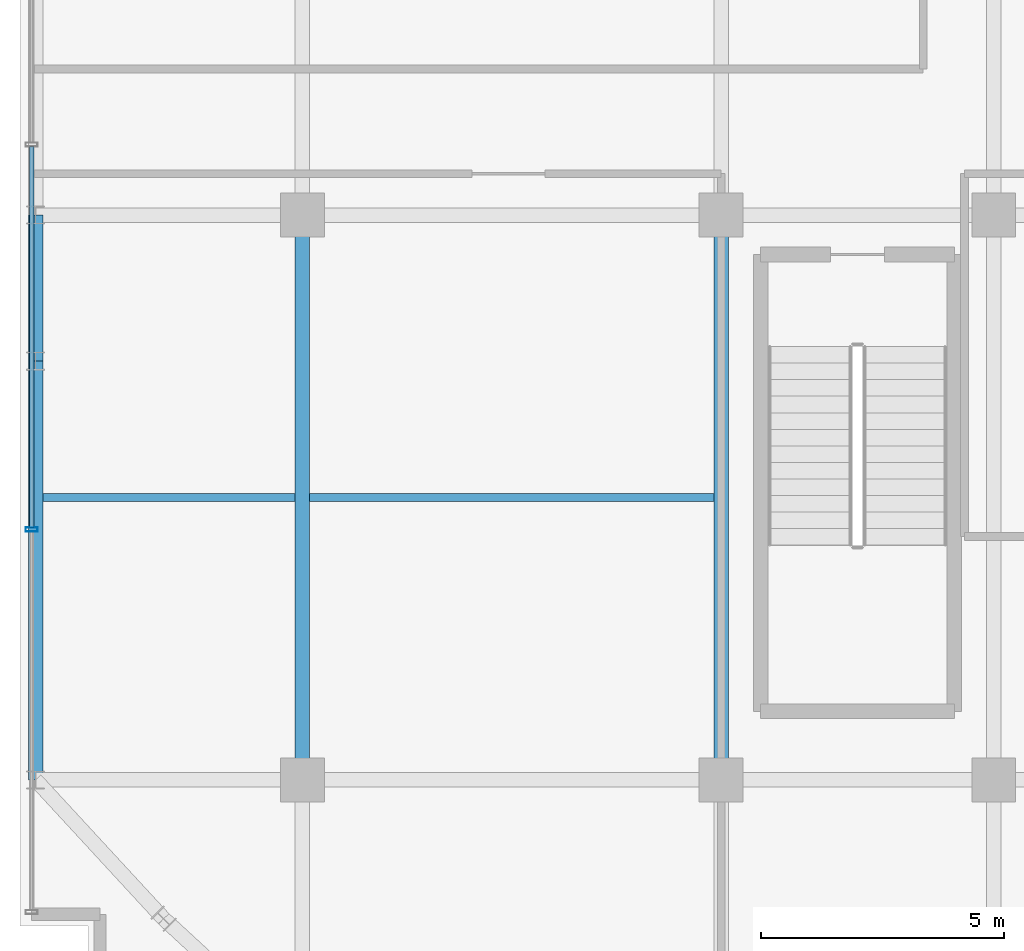
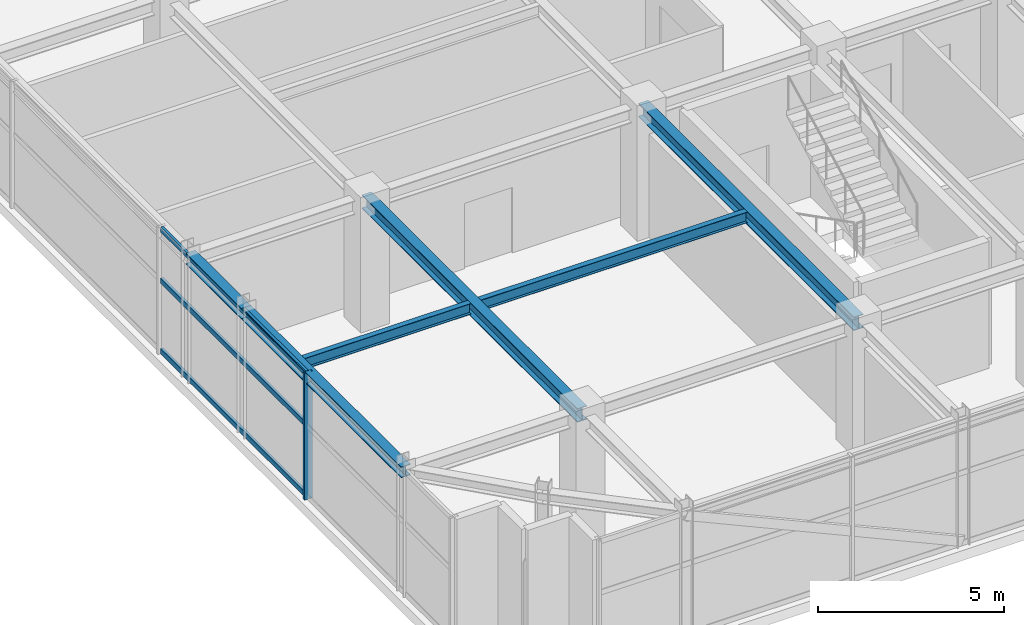
# One storey, part 5 of 26: 6 beams, 4 members, 1 element without a shape of its own.
"""IFC4 building model written with IfcOpenShell, lengths in metres."""

from ifc_helpers import new_model, si_unit, direction, frame, origin, origin_2d, place, context, subcontext, project, spatial, hollow_rectangle, i_section, extrude, source, transform, mapped, material, material_profile, profile_set, type_object, element, aggregate, save


model = new_model("IFC4")

# Units and contexts
model_context = context("Model", 3, precision=1e-05, world=origin(), true_north=direction((0.0, 1.0)))
body_context = subcontext(model_context, "Body", "Model", "MODEL_VIEW")
ifc_project = project(units=[si_unit("LENGTHUNIT", "METRE"), si_unit("AREAUNIT", "SQUARE_METRE"), si_unit("VOLUMEUNIT", "CUBIC_METRE"), si_unit("PLANEANGLEUNIT", "RADIAN"), si_unit("MASSUNIT", "GRAM", prefix="KILO")], contexts=[model_context])

# Site, building, storey
site_placement = place(None, origin())
site = spatial("IfcSite", under=ifc_project, at=site_placement, CompositionType="ELEMENT")
building_placement = place(site_placement, origin())
building = spatial("IfcBuilding", under=site, at=building_placement, Name="Nahalor Promenade Grand Hotel", CompositionType="ELEMENT")
storey_placement = place(building_placement, frame((0.0, 0.0, 343.050048828125)))
storey = spatial("IfcBuildingStorey", under=building, at=storey_placement, Name="L88", CompositionType="ELEMENT", Elevation=343.050048828125)

# Beams
ifc_material_1 = material(Name="Steel S355JR", Category="steel")
ifc_material_profile_1 = material_profile(ifc_material_1, i_section(OverallWidth=0.3, OverallDepth=0.45, WebThickness=0.014, FlangeThickness=0.026, at=origin_2d()), Name="HEB 450")
ifc_profile_set_1 = profile_set([ifc_material_profile_1], Name="Steel S355JR")
beam_type_1 = type_object("IfcBeamType", Name="Beam-Girder-HEB450", PredefinedType="BEAM", material=ifc_profile_set_1)
shared_shape_1 = source(origin(), body_context, "Body", "SweptSolid", [
    extrude(i_section(OverallWidth=0.3, OverallDepth=0.45, WebThickness=0.014, FlangeThickness=0.026, at=origin_2d()), origin(), (0.0, 0.0, 1.0), 11.60009765625),
])
for number, where, z_axis, x_axis, name in (
    (1, (-17.0, -17.0, 3.945068359375), (0.0, 1.0, 0.0), (-1.0, 0.0, 0.0), "BM-L88-GY-0-1"),
    (2, (-8.39990234375, -17.0, 3.945068359375), (0.0, 1.0, 0.0), (-1.0, 0.0, 0.0), "BM-L88-GY-1-1"),
):
    element("IfcBeam", number, at=place(storey_placement, frame(where, z_axis=z_axis, x_axis=x_axis)), inside=storey, type_object=beam_type_1, Name=name, PredefinedType="BEAM", context=body_context, shape_type="MappedRepresentation", body=[
        mapped(shared_shape_1, transform((0.0, 0.0, 0.0), scale=1.0)),
    ])
ifc_material_profile_2 = material_profile(ifc_material_1, i_section(OverallWidth=0.3, OverallDepth=0.36, WebThickness=0.0125, FlangeThickness=0.0225, at=origin_2d()), Name="HEB 360")
ifc_profile_set_2 = profile_set([ifc_material_profile_2], Name="Steel S355JR")
beam_type_2 = type_object("IfcBeamType", Name="Beam-Spandrel-HEB360", PredefinedType="SPANDREL", material=ifc_profile_set_2)
shared_shape_2 = source(origin(), body_context, "Body", "SweptSolid", [
    extrude(i_section(OverallWidth=0.3, OverallDepth=0.36, WebThickness=0.0125, FlangeThickness=0.0225, at=origin_2d()), origin(), (0.0, 0.0, 1.0), 8.60009765625),
])
beam_1_placement = place(storey_placement, frame((-22.47998046875, -17.0, 3.989990234375), z_axis=(0.0, 1.0, 0.0), x_axis=(-1.0, 0.0, 0.0)))
element("IfcBeam", 3, at=beam_1_placement, inside=storey, type_object=beam_type_2, Name="BM-L88-SP-W-0", PredefinedType="SPANDREL", context=body_context, shape_type="MappedRepresentation", body=[
    mapped(shared_shape_2, transform((0.0, 0.0, 0.0), scale=1.0)),
])
shared_shape_3 = source(origin(), body_context, "Body", "SweptSolid", [
    extrude(i_section(OverallWidth=0.3, OverallDepth=0.36, WebThickness=0.0125, FlangeThickness=0.0225, at=origin_2d()), origin(), (0.0, 0.0, 1.0), 3.0),
])
beam_2_placement = place(storey_placement, frame((-22.47998046875, -8.39990234375, 3.989990234375), z_axis=(0.0, 1.0, 0.0), x_axis=(-1.0, 0.0, 0.0)))
element("IfcBeam", 4, at=beam_2_placement, inside=storey, type_object=beam_type_2, Name="BM-L88-SP-W-1", PredefinedType="SPANDREL", context=body_context, shape_type="MappedRepresentation", body=[
    mapped(shared_shape_3, transform((0.0, 0.0, 0.0), scale=1.0)),
])
ifc_material_profile_3 = material_profile(ifc_material_1, i_section(OverallWidth=0.17, OverallDepth=0.36, WebThickness=0.008, FlangeThickness=0.0127, at=origin_2d()), Name="IPE 360")
ifc_profile_set_3 = profile_set([ifc_material_profile_3], Name="Steel S355JR")
beam_type_3 = type_object("IfcBeamType", Name="Beam-Joist-IPE360", PredefinedType="JOIST", material=ifc_profile_set_3)
shared_shape_4 = source(origin(), body_context, "Body", "SweptSolid", [
    extrude(i_section(OverallWidth=0.17, OverallDepth=0.36, WebThickness=0.008, FlangeThickness=0.0127, at=origin_2d()), origin(), (0.0, 0.0, 1.0), 5.18017578125),
])
beam_3_placement = place(storey_placement, frame((-22.330078125, -11.199951171875, 3.989990234375), z_axis=(1.0, 0.0, 0.0), x_axis=(0.0, 1.0, 0.0)))
element("IfcBeam", 5, at=beam_3_placement, inside=storey, type_object=beam_type_3, Name="BM-L88-JSW-0-0", PredefinedType="JOIST", context=body_context, shape_type="MappedRepresentation", body=[
    mapped(shared_shape_4, transform((0.0, 0.0, 0.0), scale=1.0)),
])
shared_shape_5 = source(origin(), body_context, "Body", "SweptSolid", [
    extrude(i_section(OverallWidth=0.17, OverallDepth=0.36, WebThickness=0.008, FlangeThickness=0.0127, at=origin_2d()), origin(), (0.0, 0.0, 1.0), 8.300048828125),
])
beam_4_placement = place(storey_placement, frame((-16.85009765625, -11.199951171875, 3.989990234375), z_axis=(1.0, 0.0, 0.0), x_axis=(0.0, 1.0, 0.0)))
element("IfcBeam", 6, at=beam_4_placement, inside=storey, type_object=beam_type_3, Name="BM-L88-JSW-0-1", PredefinedType="JOIST", context=body_context, shape_type="MappedRepresentation", body=[
    mapped(shared_shape_5, transform((0.0, 0.0, 0.0), scale=1.0)),
])

# Curtain wall, members
ifc_material_2 = material(Name="Anodised Bronze Aluminium EN AW-6063 T6", Category="aluminium")
curtain_wall_type = type_object("IfcCurtainWallType", Name="CW5 Sky-Lobby & Observation Panoramic Curtain Wall", PredefinedType="USERDEFINED", material=ifc_material_2)
curtain_wall_placement = place(storey_placement, origin())
curtain_wall = element("IfcCurtainWall", 7, at=curtain_wall_placement, inside=storey, type_object=curtain_wall_type, Name="L88 Curtain Wall CW-L88-W-1", ObjectType="UNITISED_CURTAIN_WALL", PredefinedType="USERDEFINED")
ifc_material_profile_4 = material_profile(ifc_material_2, hollow_rectangle(XDim=0.085, YDim=0.25, WallThickness=0.006, at=origin_2d()), Name="CWM 85x250x6")
ifc_profile_set_4 = profile_set([ifc_material_profile_4], Name="Anodised Bronze Aluminium EN AW-6063 T6")
member_type_1 = type_object("IfcMemberType", Name="CWM5 Panoramic Deep Mullion 85x250", PredefinedType="MULLION", material=ifc_profile_set_4)
shared_shape_6 = source(origin(), body_context, "Body", "SweptSolid", [
    extrude(hollow_rectangle(XDim=0.085, YDim=0.25, WallThickness=0.006, at=origin_2d()), origin(), (0.0, 0.0, 1.0), 4.169921875),
])
member_1_placement = place(storey_placement, frame((-22.56005859375, -11.85595703125, 0.0), z_axis=(0.0, 0.0, 1.0), x_axis=(0.0, 1.0, 0.0)))
member_1 = element("IfcMember", 8, at=member_1_placement, type_object=member_type_1, Name="CW-L88-W-1 Mullion 1", PredefinedType="MULLION", context=body_context, shape_type="MappedRepresentation", body=[
    mapped(shared_shape_6, transform((0.0, 0.0, 0.0), scale=1.0)),
])
ifc_material_profile_5 = material_profile(ifc_material_2, hollow_rectangle(XDim=0.085, YDim=0.17, WallThickness=0.005, at=origin_2d()), Name="CWT 85x170x5")
ifc_profile_set_5 = profile_set([ifc_material_profile_5], Name="Anodised Bronze Aluminium EN AW-6063 T6")
member_type_2 = type_object("IfcMemberType", Name="CWT5 Panoramic Transom 85x170", PredefinedType="USERDEFINED", material=ifc_profile_set_5)
shared_shape_7 = source(origin(), body_context, "Body", "SweptSolid", [
    extrude(hollow_rectangle(XDim=0.085, YDim=0.17, WallThickness=0.005, at=origin_2d()), origin(), (0.0, 0.0, 1.0), 7.819091796875),
])
member_2_placement = place(storey_placement, frame((-22.56005859375, -11.8134765625, 0.0849609375), z_axis=(0.0, 1.0, 0.0), x_axis=(-1.0, 0.0, 0.0)))
member_2 = element("IfcMember", 9, at=member_2_placement, type_object=member_type_2, Name="CW-L88-W-1 Transom 1-0", ObjectType="TRANSOM", PredefinedType="USERDEFINED", context=body_context, shape_type="MappedRepresentation", body=[
    mapped(shared_shape_7, transform((0.0, 0.0, 0.0), scale=1.0)),
])
member_3_placement = place(storey_placement, frame((-22.56005859375, -11.8134765625, 2.39990234375), z_axis=(0.0, 1.0, 0.0), x_axis=(-1.0, 0.0, 0.0)))
member_3 = element("IfcMember", 10, at=member_3_placement, type_object=member_type_2, Name="CW-L88-W-1 Transom 1-1", ObjectType="TRANSOM", PredefinedType="USERDEFINED", context=body_context, shape_type="MappedRepresentation", body=[
    mapped(shared_shape_7, transform((0.0, 0.0, 0.0), scale=1.0)),
])
member_4_placement = place(storey_placement, frame((-22.56005859375, -11.8134765625, 4.0849609375), z_axis=(0.0, 1.0, 0.0), x_axis=(-1.0, 0.0, 0.0)))
member_4 = element("IfcMember", 11, at=member_4_placement, type_object=member_type_2, Name="CW-L88-W-1 Transom 1-2", ObjectType="TRANSOM", PredefinedType="USERDEFINED", context=body_context, shape_type="MappedRepresentation", body=[
    mapped(shared_shape_7, transform((0.0, 0.0, 0.0), scale=1.0)),
])
aggregate(curtain_wall, [member_1, member_2, member_3, member_4])

save(model, "model.ifc")
